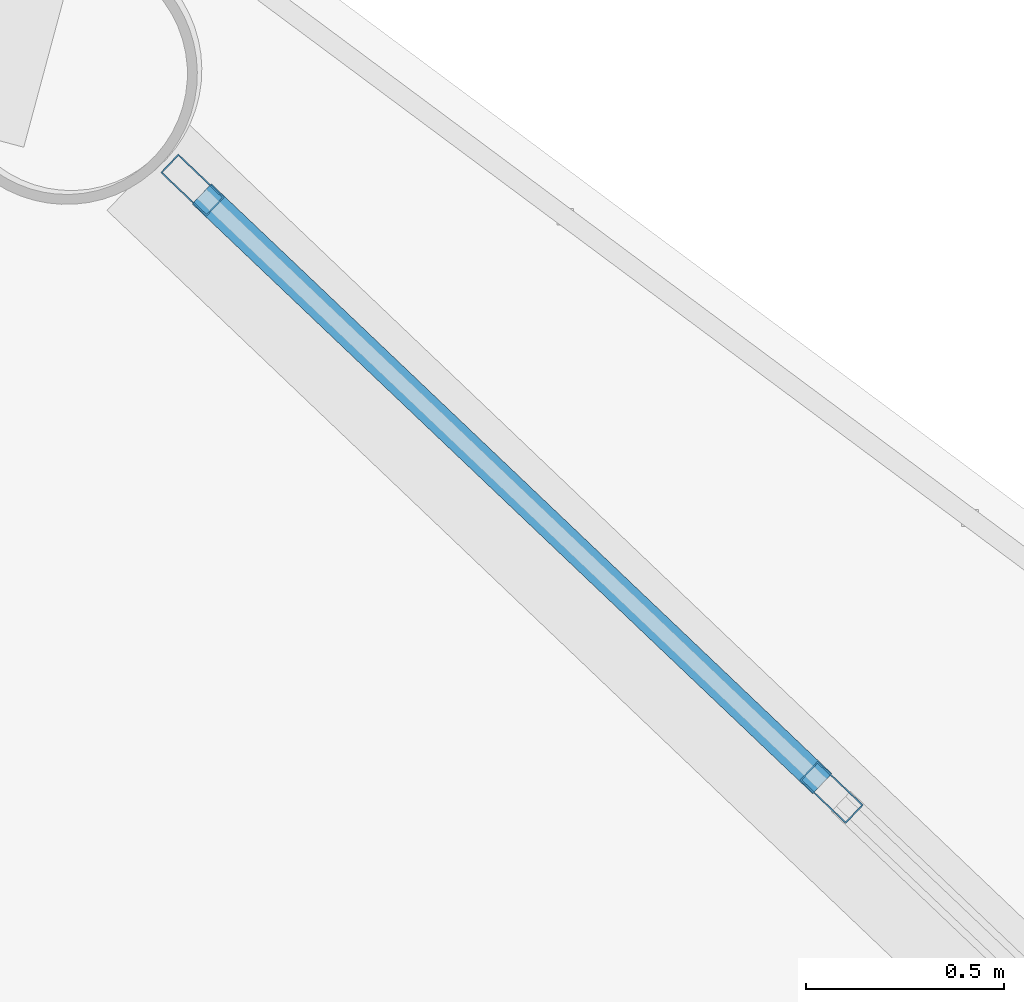
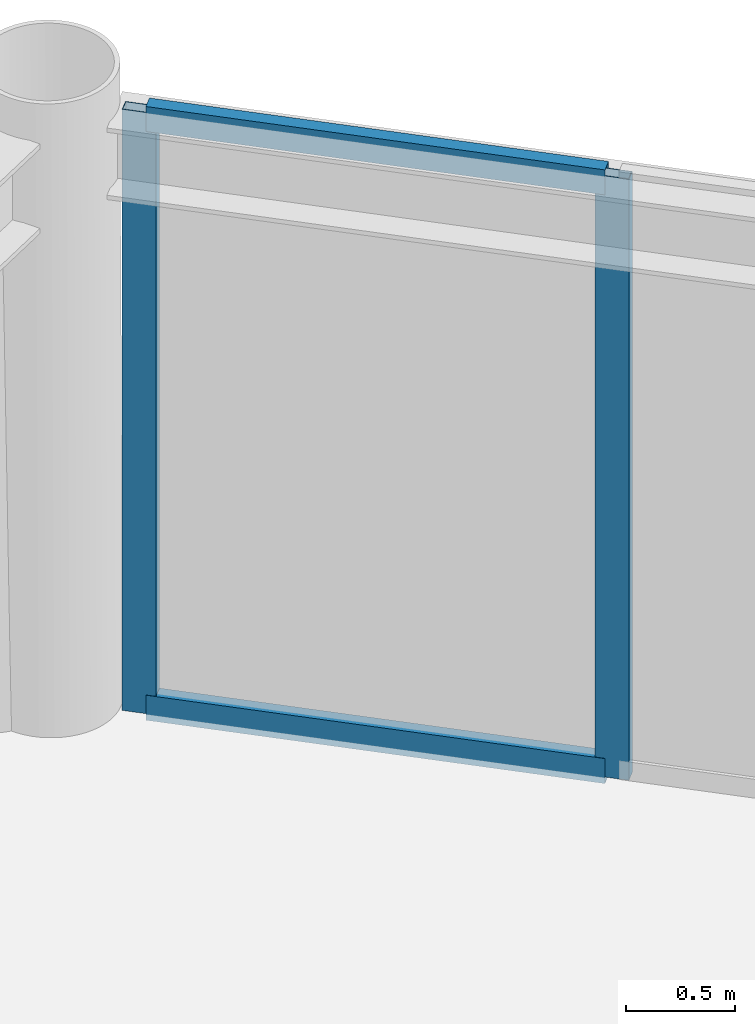
# One storey, part 22 of 29: 4 members, 1 element without a shape of its own.
"""IFC4 building model written with IfcOpenShell, lengths in metres."""

from ifc_helpers import new_model, si_unit, direction, frame, origin, origin_2d, place, context, subcontext, project, spatial, hollow_rectangle, extrude, material, layer, layer_set, material_profile, profile_set, type_object, element, aggregate, save


model = new_model("IFC4")

# Units and contexts
model_context = context("Model", 3, precision=1e-05, world=origin(), true_north=direction((0.0, 1.0)))
body_context = subcontext(model_context, "Body", "Model", "MODEL_VIEW")
ifc_project = project(units=[si_unit("LENGTHUNIT", "METRE"), si_unit("AREAUNIT", "SQUARE_METRE"), si_unit("VOLUMEUNIT", "CUBIC_METRE"), si_unit("PLANEANGLEUNIT", "RADIAN"), si_unit("MASSUNIT", "GRAM", prefix="KILO")], contexts=[model_context])

# Site, building, storey
site_placement = place(None, origin())
site = spatial("IfcSite", under=ifc_project, at=site_placement, CompositionType="ELEMENT")
building_placement = place(site_placement, origin())
building = spatial("IfcBuilding", under=site, at=building_placement, Name="Varnakorn Sky Granary", CompositionType="ELEMENT")
storey_placement = place(building_placement, frame((0.0, 0.0, 189.60009765625)))
storey = spatial("IfcBuildingStorey", under=building, at=storey_placement, Name="L47", CompositionType="ELEMENT", Elevation=189.60009765625)

# Curtain wall, members
ifc_material = material(Name="Anodised Bronze Aluminium Alloy 6063-T6", Category="aluminium")
ifc_layer = layer(ifc_material, 0.169921875, Name="Anodised Bronze Aluminium Alloy 6063-T6")
ifc_layer_set = layer_set([ifc_layer], Name="Anodised Bronze Aluminium Alloy 6063-T6")
curtain_wall_type = type_object("IfcCurtainWallType", Name="CW-LAB-1", PredefinedType="USERDEFINED", material=ifc_layer_set)
curtain_wall_placement = place(storey_placement, origin())
curtain_wall = element("IfcCurtainWall", 1, at=curtain_wall_placement, inside=storey, type_object=curtain_wall_type, Name="Unitised Curtain Wall CW5 CW-L47-B02", ObjectType="CURTAIN WALL", PredefinedType="USERDEFINED")
ifc_material_profile_1 = material_profile(ifc_material, hollow_rectangle(XDim=0.06494140625, YDim=0.159912109375, WallThickness=0.00341796875, at=origin_2d()), Name="ALU MULL 65x160")
ifc_profile_set_1 = profile_set([ifc_material_profile_1], Name="Anodised Bronze Aluminium Alloy 6063-T6")
member_type_1 = type_object("IfcMemberType", Name="CW-LAB-1-MULL", PredefinedType="MULLION", material=ifc_profile_set_1)
member_1_placement = place(storey_placement, frame((14.878173828125, 15.712890625, 0.0), z_axis=(0.0, 0.0, 1.0), x_axis=(0.688905297757, 0.724851357674, 0.0)))
member_1 = element("IfcMember", 2, at=member_1_placement, type_object=member_type_1, Name="CW5 mullion 1", PredefinedType="MULLION", context=body_context, shape_type="SweptSolid", body=[
    extrude(hollow_rectangle(XDim=0.06494140625, YDim=0.159912109375, WallThickness=0.00341796875, at=origin_2d()), origin(), (0.0, 0.0, 1.0), 3.35986328125),
])
member_2_placement = place(storey_placement, frame((16.49267578125, 14.1787109375, 0.0), z_axis=(0.0, 0.0, 1.0), x_axis=(0.688905297757, 0.724851357674, 0.0)))
member_2 = element("IfcMember", 3, at=member_2_placement, type_object=member_type_1, Name="CW5 mullion 2", PredefinedType="MULLION", context=body_context, shape_type="SweptSolid", body=[
    extrude(hollow_rectangle(XDim=0.06494140625, YDim=0.159912109375, WallThickness=0.00341796875, at=origin_2d()), origin(), (0.0, 0.0, 1.0), 3.35986328125),
])
ifc_material_profile_2 = material_profile(ifc_material, hollow_rectangle(XDim=0.070068359375, YDim=0.139892578125, WallThickness=0.00341796875, at=origin_2d()), Name="ALU TRAN 70x140")
ifc_profile_set_2 = profile_set([ifc_material_profile_2], Name="Anodised Bronze Aluminium Alloy 6063-T6")
member_type_2 = type_object("IfcMemberType", Name="CW-LAB-1-TRAN", PredefinedType="USERDEFINED", material=ifc_profile_set_2)
member_3_placement = place(storey_placement, frame((14.90185546875, 15.690673828125, 0.034912109375), z_axis=(0.72483307441, -0.688924534503, 0.0), x_axis=(0.688924534503, 0.72483307441, 0.0)))
member_3 = element("IfcMember", 4, at=member_3_placement, type_object=member_type_2, Name="CW5 transom 1.1", ObjectType="TRANSOM", PredefinedType="USERDEFINED", context=body_context, shape_type="SweptSolid", body=[
    extrude(hollow_rectangle(XDim=0.070068359375, YDim=0.139892578125, WallThickness=0.00341796875, at=origin_2d()), origin(), (0.0, 0.0, 1.0), 2.162109375),
])
member_4_placement = place(storey_placement, frame((14.90185546875, 15.690673828125, 3.324951171875), z_axis=(0.72483307441, -0.688924534503, 0.0), x_axis=(0.688924534503, 0.72483307441, 0.0)))
member_4 = element("IfcMember", 5, at=member_4_placement, type_object=member_type_2, Name="CW5 transom 1.2", ObjectType="TRANSOM", PredefinedType="USERDEFINED", context=body_context, shape_type="SweptSolid", body=[
    extrude(hollow_rectangle(XDim=0.070068359375, YDim=0.139892578125, WallThickness=0.00341796875, at=origin_2d()), origin(), (0.0, 0.0, 1.0), 2.162109375),
])
aggregate(curtain_wall, [member_1, member_2, member_3, member_4])

save(model, "model.ifc")
